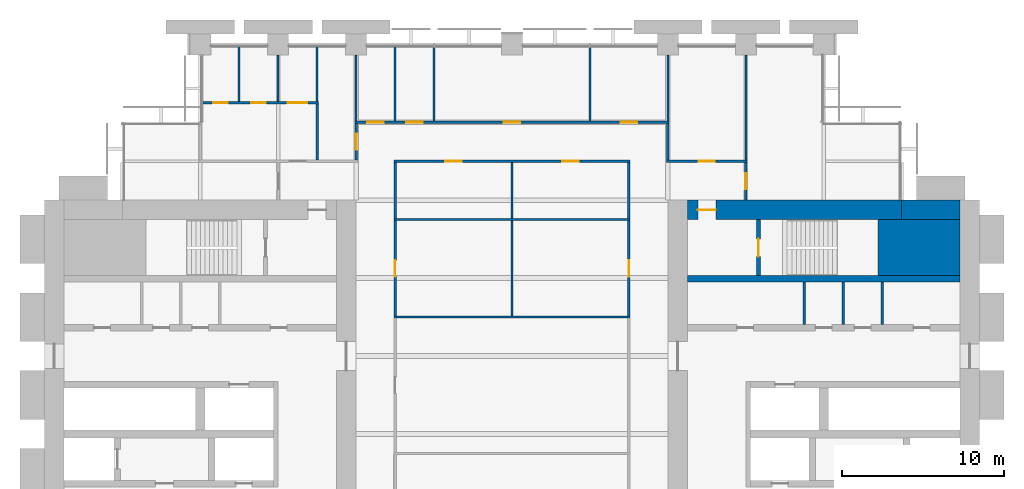
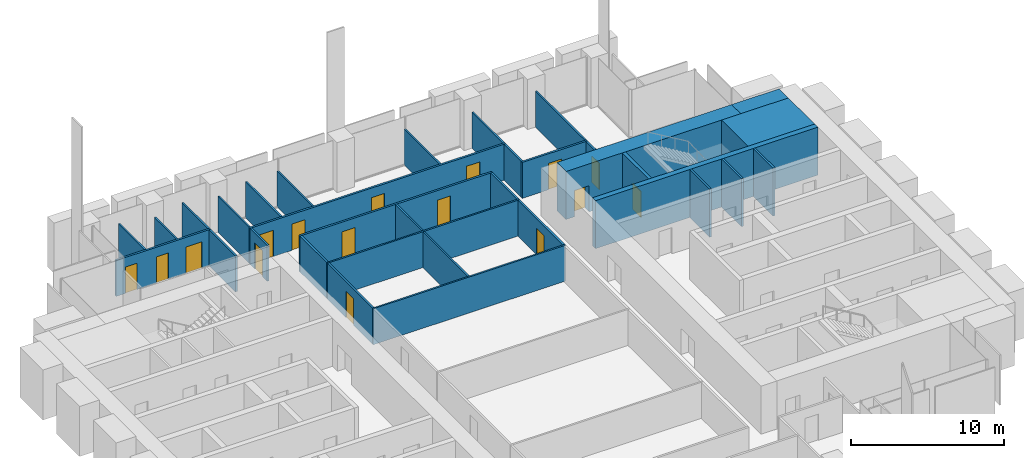
# One storey, part 12 of 14: 33 walls, 16 doors, 16 openings.
"""IFC4 building model written with IfcOpenShell, lengths in metres."""

from ifc_helpers import new_model, si_unit, direction, frame, frame_2d, origin, place, context, subcontext, project, spatial, rectangle, extrude, material, layer, layer_set, type_object, element, fill, save


model = new_model("IFC4")

# Units and contexts
model_context = context("Model", 3, precision=1e-05, world=origin(), true_north=direction((0.0, 1.0)))
body_context = subcontext(model_context, "Body", "Model", "MODEL_VIEW")
ifc_project = project(units=[si_unit("LENGTHUNIT", "METRE"), si_unit("AREAUNIT", "SQUARE_METRE"), si_unit("VOLUMEUNIT", "CUBIC_METRE"), si_unit("PLANEANGLEUNIT", "RADIAN"), si_unit("MASSUNIT", "GRAM", prefix="KILO")], contexts=[model_context])

# Site, building, storey
site_placement = place(None, origin())
site = spatial("IfcSite", under=ifc_project, at=site_placement, CompositionType="ELEMENT")
building_placement = place(site_placement, origin())
building = spatial("IfcBuilding", under=site, at=building_placement, Name="Baori Bourse Tower", CompositionType="ELEMENT")
storey_placement = place(building_placement, frame((0.0, 0.0, 63.0)))
storey = spatial("IfcBuildingStorey", under=building, at=storey_placement, Name="L13", CompositionType="ELEMENT", Elevation=63.0)

# Walls
ifc_material_1 = material(Name="Concrete f'c 70 MPa", Category="concrete")
wall_type_1 = type_object("IfcWallType", Name="Core corner block f'c 70", PredefinedType="SHEAR", material=ifc_material_1)
wall_1_placement = place(storey_placement, frame((51.35009765625, 35.47509765625, 0.0), z_axis=(0.0, 0.0, 1.0), x_axis=(1.0, 0.0, 0.0)))
element("IfcWall", 1, at=wall_1_placement, inside=storey, type_object=wall_type_1, Name="Core wall E22", PredefinedType="SHEAR", context=body_context, shape_type="SweptSolid", body=[
    extrude(rectangle(XDim=5.0498046875, YDim=3.449951171875, at=frame_2d((2.52490234375, 0.0))), origin(), (0.0, 0.0, 1.0), 3.840087890625),
])
ifc_material_2 = material(Name="Blockwork partition", Category="masonry")
ifc_layer_1 = layer(ifc_material_2, 0.14990234375)
ifc_layer_set_1 = layer_set([ifc_layer_1], Name="Core partition 150")
wall_type_2 = type_object("IfcWallType", Name="Core partition 150", PredefinedType="PARTITIONING", material=ifc_layer_set_1)
for number, where, z_axis, x_axis, name in (
    (2, (51.60009765625, 30.75, 0.0), (0.0, 0.0, 1.0), (0.0, 1.0, 0.0), "Partition wall E18"),
    (3, (49.199951171875, 30.75, 0.0), (0.0, 0.0, 1.0), (0.0, 1.0, 0.0), "Partition wall E19"),
    (4, (46.800048828125, 30.75, 0.0), (0.0, 0.0, 1.0), (0.0, 1.0, 0.0), "Partition wall E20"),
):
    element("IfcWall", number, at=place(storey_placement, frame(where, z_axis=z_axis, x_axis=x_axis)), inside=storey, type_object=wall_type_2, Name=name, PredefinedType="PARTITIONING", context=body_context, shape_type="SweptSolid", body=[
        extrude(rectangle(XDim=2.60009765625, YDim=0.14990234375, at=frame_2d((1.300048828125, 0.0))), origin(), (0.0, 0.0, 1.0), 3.840087890625),
    ])
ifc_material_3 = material(Name="Concrete f'c 70 MPa", Category="concrete")
ifc_layer_2 = layer(ifc_material_3, 1.199951171875)
ifc_layer_set_2 = layer_set([ifc_layer_2], Name="Core wall 1200 f'c 70")
wall_type_3 = type_object("IfcWallType", Name="Core wall 1200 f'c 70", PredefinedType="SHEAR", material=ifc_layer_set_2)
wall_2_placement = place(storey_placement, frame((52.800048828125, 37.800048828125, 0.0), z_axis=(0.0, 0.0, 1.0), x_axis=(1.0, 0.0, 0.0)))
element("IfcWall", 5, at=wall_2_placement, inside=storey, type_object=wall_type_3, Name="Core wall E24", PredefinedType="SHEAR", context=body_context, shape_type="SweptSolid", body=[
    extrude(rectangle(XDim=3.599853515625, YDim=1.199951171875, at=frame_2d((1.7998046875, 0.0))), origin(), (0.0, 0.0, 1.0), 3.840087890625),
])

# Wall, opening, door
wall_3_placement = place(storey_placement, frame((39.60009765625, 37.800048828125, 0.0), z_axis=(0.0, 0.0, 1.0), x_axis=(1.0, 0.0, 0.0)))
wall_3 = element("IfcWall", 6, at=wall_3_placement, inside=storey, type_object=wall_type_3, Name="Core wall E25", PredefinedType="SHEAR", context=body_context, shape_type="SweptSolid", body=[
    extrude(rectangle(XDim=13.199951171875, YDim=1.199951171875, at=frame_2d((6.60009765625, 0.0))), origin(), (0.0, 0.0, 1.0), 3.840087890625),
])
opening_1_placement = place(wall_3_placement, frame((0.64990234375, 0.0, 0.0)))
opening_1 = element("IfcOpeningElement", 7, at=opening_1_placement, cuts=wall_3, Name="Opening L13-D204", PredefinedType="OPENING", context=body_context, shape_type="SweptSolid", body=[
    extrude(rectangle(XDim=1.10009765625, YDim=2.10009765625, at=frame_2d((0.550048828125, 1.050048828125))), frame((0.0, 0.60986328125, 0.0), z_axis=(0.0, -1.0, 0.0), x_axis=(1.0, 0.0, 0.0)), (0.0, 0.0, 1.0), 1.219970703125),
])
ifc_material_4 = material(Name="Painted steel door", Category="steel")
door_type_1 = type_object("IfcDoorType", Name="Stair door 1100", OperationType="SINGLE_SWING_LEFT", PredefinedType="DOOR", material=ifc_material_4)
door_1_placement = place(opening_1_placement, origin())
door_1 = element("IfcDoor", 8, at=door_1_placement, inside=storey, type_object=door_type_1, Name="Stair vestibule door B E L13", OperationType="SINGLE_SWING_LEFT", OverallHeight=2.10009765625, OverallWidth=1.10009765625, PredefinedType="DOOR", context=body_context, shape_type="SweptSolid", body=[
    extrude(rectangle(XDim=1.10009765625, YDim=2.10009765625, at=frame_2d((0.550048828125, 1.050048828125))), frame((0.0, 0.02490234375, 0.0), z_axis=(0.0, -1.0, 0.0), x_axis=(1.0, 0.0, 0.0)), (0.0, 0.0, 1.0), 0.050048828125),
])
fill(opening_1, door_1)

# Wall, openings, doors
ifc_material_5 = material(Name="Gypsum board partition")
ifc_layer_3 = layer(ifc_material_5, 0.14990234375)
ifc_layer_set_3 = layer_set([ifc_layer_3], Name="Corridor partition 150")
wall_type_4 = type_object("IfcWallType", Name="Corridor partition 150", PredefinedType="PARTITIONING", material=ifc_layer_set_3)
wall_4_placement = place(storey_placement, frame((21.52490234375, 40.800048828125, 0.0), z_axis=(0.0, 0.0, 1.0), x_axis=(1.0, 0.0, 0.0)))
wall_4 = element("IfcWall", 9, at=wall_4_placement, inside=storey, type_object=wall_type_4, Name="Partition", PredefinedType="PARTITIONING", context=body_context, shape_type="SweptSolid", body=[
    extrude(rectangle(XDim=14.550048828125, YDim=0.14990234375, at=frame_2d((7.27490234375, 0.0))), origin(), (0.0, 0.0, 1.0), 2.86962890625),
])
opening_2_placement = place(wall_4_placement, frame((3.175048828125, 0.0, 0.0)))
opening_2 = element("IfcOpeningElement", 10, at=opening_2_placement, cuts=wall_4, Name="Opening L13-D08", PredefinedType="OPENING", context=body_context, shape_type="SweptSolid", body=[
    extrude(rectangle(XDim=1.0, YDim=2.10009765625, at=frame_2d((0.5, 1.050048828125))), frame((0.0, 0.0849609375, 0.0), z_axis=(0.0, -1.0, 0.0), x_axis=(1.0, 0.0, 0.0)), (0.0, 0.0, 1.0), 0.169921875),
])
opening_3_placement = place(wall_4_placement, frame((10.375, 0.0, 0.0)))
opening_3 = element("IfcOpeningElement", 11, at=opening_3_placement, cuts=wall_4, Name="Opening L13-D09", PredefinedType="OPENING", context=body_context, shape_type="SweptSolid", body=[
    extrude(rectangle(XDim=1.0, YDim=2.10009765625, at=frame_2d((0.5, 1.050048828125))), frame((0.0, 0.0849609375, 0.0), z_axis=(0.0, -1.0, 0.0), x_axis=(1.0, 0.0, 0.0)), (0.0, 0.0, 1.0), 0.169921875),
])
ifc_material_6 = material(Name="Timber door leaf", Category="wood")
door_type_2 = type_object("IfcDoorType", Name="Door 1000 x 2100", OperationType="SINGLE_SWING_LEFT", PredefinedType="DOOR", material=ifc_material_6)
door_2_placement = place(opening_2_placement, origin())
door_2 = element("IfcDoor", 12, at=door_2_placement, inside=storey, type_object=door_type_2, Name="Door", OperationType="SINGLE_SWING_LEFT", OverallHeight=2.10009765625, OverallWidth=1.0, PredefinedType="DOOR", context=body_context, shape_type="SweptSolid", body=[
    extrude(rectangle(XDim=1.0, YDim=2.10009765625, at=frame_2d((0.5, 1.050048828125))), frame((0.0, 0.02490234375, 0.0), z_axis=(0.0, -1.0, 0.0), x_axis=(1.0, 0.0, 0.0)), (0.0, 0.0, 1.0), 0.050048828125),
])
fill(opening_2, door_2)
door_3_placement = place(opening_3_placement, origin())
door_3 = element("IfcDoor", 13, at=door_3_placement, inside=storey, type_object=door_type_2, Name="Door", OperationType="SINGLE_SWING_RIGHT", OverallHeight=2.10009765625, OverallWidth=1.0, PredefinedType="DOOR", context=body_context, shape_type="SweptSolid", body=[
    extrude(rectangle(XDim=1.0, YDim=2.10009765625, at=frame_2d((0.5, 1.050048828125))), frame((0.0, 0.02490234375, 0.0), z_axis=(0.0, -1.0, 0.0), x_axis=(1.0, 0.0, 0.0)), (0.0, 0.0, 1.0), 0.050048828125),
])
fill(opening_3, door_3)

# Wall, opening, door
wall_5_placement = place(storey_placement, frame((38.324951171875, 40.800048828125, 0.0), z_axis=(0.0, 0.0, 1.0), x_axis=(1.0, 0.0, 0.0)))
wall_5 = element("IfcWall", 14, at=wall_5_placement, inside=storey, type_object=wall_type_4, Name="Partition", PredefinedType="PARTITIONING", context=body_context, shape_type="SweptSolid", body=[
    extrude(rectangle(XDim=4.949951171875, YDim=0.14990234375, at=frame_2d((2.47509765625, 0.0))), origin(), (0.0, 0.0, 1.0), 2.86962890625),
])
opening_4_placement = place(wall_5_placement, frame((1.97509765625, 0.0, 0.0)))
opening_4 = element("IfcOpeningElement", 15, at=opening_4_placement, cuts=wall_5, Name="Opening L13-D10", PredefinedType="OPENING", context=body_context, shape_type="SweptSolid", body=[
    extrude(rectangle(XDim=1.0, YDim=2.10009765625, at=frame_2d((0.5, 1.050048828125))), frame((0.0, 0.0849609375, 0.0), z_axis=(0.0, -1.0, 0.0), x_axis=(1.0, 0.0, 0.0)), (0.0, 0.0, 1.0), 0.169921875),
])
door_4_placement = place(opening_4_placement, origin())
door_4 = element("IfcDoor", 16, at=door_4_placement, inside=storey, type_object=door_type_2, Name="Door", OperationType="SINGLE_SWING_RIGHT", OverallHeight=2.10009765625, OverallWidth=1.0, PredefinedType="DOOR", context=body_context, shape_type="SweptSolid", body=[
    extrude(rectangle(XDim=1.0, YDim=2.10009765625, at=frame_2d((0.5, 1.050048828125))), frame((0.0, 0.02490234375, 0.0), z_axis=(0.0, -1.0, 0.0), x_axis=(1.0, 0.0, 0.0)), (0.0, 0.0, 1.0), 0.050048828125),
])
fill(opening_4, door_4)

# Wall, openings, doors
wall_6_placement = place(storey_placement, frame((19.125, 43.199951171875, 0.0), z_axis=(0.0, 0.0, 1.0), x_axis=(1.0, 0.0, 0.0)))
wall_6 = element("IfcWall", 17, at=wall_6_placement, inside=storey, type_object=wall_type_4, Name="Partition", PredefinedType="PARTITIONING", context=body_context, shape_type="SweptSolid", body=[
    extrude(rectangle(XDim=19.35009765625, YDim=0.14990234375, at=frame_2d((9.675048828125, 0.0))), origin(), (0.0, 0.0, 1.0), 2.86962890625),
])
opening_5_placement = place(wall_6_placement, frame((0.77490234375, 0.0, 0.0)))
opening_5 = element("IfcOpeningElement", 18, at=opening_5_placement, cuts=wall_6, Name="Opening L13-D11", PredefinedType="OPENING", context=body_context, shape_type="SweptSolid", body=[
    extrude(rectangle(XDim=1.0, YDim=2.10009765625, at=frame_2d((0.5, 1.050048828125))), frame((0.0, 0.0849609375, 0.0), z_axis=(0.0, -1.0, 0.0), x_axis=(1.0, 0.0, 0.0)), (0.0, 0.0, 1.0), 0.169921875),
])
opening_6_placement = place(wall_6_placement, frame((3.175048828125, 0.0, 0.0)))
opening_6 = element("IfcOpeningElement", 19, at=opening_6_placement, cuts=wall_6, Name="Opening L13-D12", PredefinedType="OPENING", context=body_context, shape_type="SweptSolid", body=[
    extrude(rectangle(XDim=1.0, YDim=2.10009765625, at=frame_2d((0.5, 1.050048828125))), frame((0.0, 0.0849609375, 0.0), z_axis=(0.0, -1.0, 0.0), x_axis=(1.0, 0.0, 0.0)), (0.0, 0.0, 1.0), 0.169921875),
])
opening_7_placement = place(wall_6_placement, frame((9.175048828125, 0.0, 0.0)))
opening_7 = element("IfcOpeningElement", 20, at=opening_7_placement, cuts=wall_6, Name="Opening L13-D13", PredefinedType="OPENING", context=body_context, shape_type="SweptSolid", body=[
    extrude(rectangle(XDim=1.0, YDim=2.10009765625, at=frame_2d((0.5, 1.050048828125))), frame((0.0, 0.0849609375, 0.0), z_axis=(0.0, -1.0, 0.0), x_axis=(1.0, 0.0, 0.0)), (0.0, 0.0, 1.0), 0.169921875),
])
opening_8_placement = place(wall_6_placement, frame((16.375, 0.0, 0.0)))
opening_8 = element("IfcOpeningElement", 21, at=opening_8_placement, cuts=wall_6, Name="Opening L13-D14", PredefinedType="OPENING", context=body_context, shape_type="SweptSolid", body=[
    extrude(rectangle(XDim=1.0, YDim=2.10009765625, at=frame_2d((0.5, 1.050048828125))), frame((0.0, 0.0849609375, 0.0), z_axis=(0.0, -1.0, 0.0), x_axis=(1.0, 0.0, 0.0)), (0.0, 0.0, 1.0), 0.169921875),
])
door_5_placement = place(opening_5_placement, origin())
door_5 = element("IfcDoor", 22, at=door_5_placement, inside=storey, type_object=door_type_2, Name="Door", OperationType="SINGLE_SWING_RIGHT", OverallHeight=2.10009765625, OverallWidth=1.0, PredefinedType="DOOR", context=body_context, shape_type="SweptSolid", body=[
    extrude(rectangle(XDim=1.0, YDim=2.10009765625, at=frame_2d((0.5, 1.050048828125))), frame((0.0, 0.02490234375, 0.0), z_axis=(0.0, -1.0, 0.0), x_axis=(1.0, 0.0, 0.0)), (0.0, 0.0, 1.0), 0.050048828125),
])
fill(opening_5, door_5)
door_6_placement = place(opening_6_placement, origin())
door_6 = element("IfcDoor", 23, at=door_6_placement, inside=storey, type_object=door_type_2, Name="Door", OperationType="SINGLE_SWING_RIGHT", OverallHeight=2.10009765625, OverallWidth=1.0, PredefinedType="DOOR", context=body_context, shape_type="SweptSolid", body=[
    extrude(rectangle(XDim=1.0, YDim=2.10009765625, at=frame_2d((0.5, 1.050048828125))), frame((0.0, 0.02490234375, 0.0), z_axis=(0.0, -1.0, 0.0), x_axis=(1.0, 0.0, 0.0)), (0.0, 0.0, 1.0), 0.050048828125),
])
fill(opening_6, door_6)
door_7_placement = place(opening_7_placement, origin())
door_7 = element("IfcDoor", 24, at=door_7_placement, inside=storey, type_object=door_type_2, Name="Door", OperationType="SINGLE_SWING_RIGHT", OverallHeight=2.10009765625, OverallWidth=1.0, PredefinedType="DOOR", context=body_context, shape_type="SweptSolid", body=[
    extrude(rectangle(XDim=1.0, YDim=2.10009765625, at=frame_2d((0.5, 1.050048828125))), frame((0.0, 0.02490234375, 0.0), z_axis=(0.0, -1.0, 0.0), x_axis=(1.0, 0.0, 0.0)), (0.0, 0.0, 1.0), 0.050048828125),
])
fill(opening_7, door_7)
door_8_placement = place(opening_8_placement, origin())
door_8 = element("IfcDoor", 25, at=door_8_placement, inside=storey, type_object=door_type_2, Name="Door", OperationType="SINGLE_SWING_LEFT", OverallHeight=2.10009765625, OverallWidth=1.0, PredefinedType="DOOR", context=body_context, shape_type="SweptSolid", body=[
    extrude(rectangle(XDim=1.0, YDim=2.10009765625, at=frame_2d((0.5, 1.050048828125))), frame((0.0, 0.02490234375, 0.0), z_axis=(0.0, -1.0, 0.0), x_axis=(1.0, 0.0, 0.0)), (0.0, 0.0, 1.0), 0.050048828125),
])
fill(opening_8, door_8)

wall_7_placement = place(storey_placement, frame((9.699951171875, 44.39990234375, 0.0), z_axis=(0.0, 0.0, 1.0), x_axis=(1.0, 0.0, 0.0)))
wall_7 = element("IfcWall", 26, at=wall_7_placement, inside=storey, type_object=wall_type_4, Name="Partition", PredefinedType="PARTITIONING", context=body_context, shape_type="SweptSolid", body=[
    extrude(rectangle(XDim=7.175048828125, YDim=0.14990234375, at=frame_2d((3.58740234375, 0.0))), origin(), (0.0, 0.0, 1.0), 2.86962890625),
])
opening_9_placement = place(wall_7_placement, frame((0.699951171875, 0.0, 0.0)))
opening_9 = element("IfcOpeningElement", 27, at=opening_9_placement, cuts=wall_7, Name="Opening L13-D15", PredefinedType="OPENING", context=body_context, shape_type="SweptSolid", body=[
    extrude(rectangle(XDim=0.89990234375, YDim=2.10009765625, at=frame_2d((0.449951171875, 1.050048828125))), frame((0.0, 0.0849609375, 0.0), z_axis=(0.0, -1.0, 0.0), x_axis=(1.0, 0.0, 0.0)), (0.0, 0.0, 1.0), 0.169921875),
])
opening_10_placement = place(wall_7_placement, frame((3.050048828125, 0.0, 0.0)))
opening_10 = element("IfcOpeningElement", 28, at=opening_10_placement, cuts=wall_7, Name="Opening L13-D16", PredefinedType="OPENING", context=body_context, shape_type="SweptSolid", body=[
    extrude(rectangle(XDim=0.89990234375, YDim=2.10009765625, at=frame_2d((0.449951171875, 1.050048828125))), frame((0.0, 0.0849609375, 0.0), z_axis=(0.0, -1.0, 0.0), x_axis=(1.0, 0.0, 0.0)), (0.0, 0.0, 1.0), 0.169921875),
])
opening_11_placement = place(wall_7_placement, frame((5.300048828125, 0.0, 0.0)))
opening_11 = element("IfcOpeningElement", 29, at=opening_11_placement, cuts=wall_7, Name="Opening L13-D17", PredefinedType="OPENING", context=body_context, shape_type="SweptSolid", body=[
    extrude(rectangle(XDim=1.199951171875, YDim=2.10009765625, at=frame_2d((0.60009765625, 1.050048828125))), frame((0.0, 0.0849609375, 0.0), z_axis=(0.0, -1.0, 0.0), x_axis=(1.0, 0.0, 0.0)), (0.0, 0.0, 1.0), 0.169921875),
])
ifc_material_7 = material(Name="Timber door leaf", Category="wood")
door_type_3 = type_object("IfcDoorType", Name="Door 1200 x 2100", OperationType="SINGLE_SWING_LEFT", PredefinedType="DOOR", material=ifc_material_7)
door_9_placement = place(opening_11_placement, origin())
door_9 = element("IfcDoor", 30, at=door_9_placement, inside=storey, type_object=door_type_3, Name="Door", OperationType="SINGLE_SWING_LEFT", OverallHeight=2.10009765625, OverallWidth=1.199951171875, PredefinedType="DOOR", context=body_context, shape_type="SweptSolid", body=[
    extrude(rectangle(XDim=1.199951171875, YDim=2.10009765625, at=frame_2d((0.60009765625, 1.050048828125))), frame((0.0, 0.02490234375, 0.0), z_axis=(0.0, -1.0, 0.0), x_axis=(1.0, 0.0, 0.0)), (0.0, 0.0, 1.0), 0.050048828125),
])
fill(opening_11, door_9)
ifc_material_8 = material(Name="Timber door leaf", Category="wood")
door_type_4 = type_object("IfcDoorType", Name="Door 900 x 2100", OperationType="SINGLE_SWING_LEFT", PredefinedType="DOOR", material=ifc_material_8)
door_10_placement = place(opening_9_placement, origin())
door_10 = element("IfcDoor", 31, at=door_10_placement, inside=storey, type_object=door_type_4, Name="Door", OperationType="SINGLE_SWING_RIGHT", OverallHeight=2.10009765625, OverallWidth=0.89990234375, PredefinedType="DOOR", context=body_context, shape_type="SweptSolid", body=[
    extrude(rectangle(XDim=0.89990234375, YDim=2.10009765625, at=frame_2d((0.449951171875, 1.050048828125))), frame((0.0, 0.02490234375, 0.0), z_axis=(0.0, -1.0, 0.0), x_axis=(1.0, 0.0, 0.0)), (0.0, 0.0, 1.0), 0.050048828125),
])
fill(opening_9, door_10)
door_11_placement = place(opening_10_placement, origin())
door_11 = element("IfcDoor", 32, at=door_11_placement, inside=storey, type_object=door_type_4, Name="Door", OperationType="SINGLE_SWING_RIGHT", OverallHeight=2.10009765625, OverallWidth=0.89990234375, PredefinedType="DOOR", context=body_context, shape_type="SweptSolid", body=[
    extrude(rectangle(XDim=0.89990234375, YDim=2.10009765625, at=frame_2d((0.449951171875, 1.050048828125))), frame((0.0, 0.02490234375, 0.0), z_axis=(0.0, -1.0, 0.0), x_axis=(1.0, 0.0, 0.0)), (0.0, 0.0, 1.0), 0.050048828125),
])
fill(opening_10, door_11)

# Wall
wall_8_placement = place(storey_placement, frame((16.800048828125, 40.875, 0.0), z_axis=(0.0, 0.0, 1.0), x_axis=(0.0, 1.0, 0.0)))
element("IfcWall", 33, at=wall_8_placement, inside=storey, type_object=wall_type_4, Name="Partition", PredefinedType="PARTITIONING", context=body_context, shape_type="SweptSolid", body=[
    extrude(rectangle(XDim=3.449951171875, YDim=0.14990234375, at=frame_2d((1.72509765625, 0.0))), origin(), (0.0, 0.0, 1.0), 2.86962890625),
])

# Wall, opening, door
wall_9_placement = place(storey_placement, frame((19.199951171875, 40.875, 0.0), z_axis=(0.0, 0.0, 1.0), x_axis=(0.0, 1.0, 0.0)))
wall_9 = element("IfcWall", 34, at=wall_9_placement, inside=storey, type_object=wall_type_4, Name="Partition", PredefinedType="PARTITIONING", context=body_context, shape_type="SweptSolid", body=[
    extrude(rectangle(XDim=2.25, YDim=0.14990234375, at=frame_2d((1.125, 0.0))), origin(), (0.0, 0.0, 1.0), 2.86962890625),
])
opening_12_placement = place(wall_9_placement, frame((0.625, 0.0, 0.0)))
opening_12 = element("IfcOpeningElement", 35, at=opening_12_placement, cuts=wall_9, Name="Opening L13-D20", PredefinedType="OPENING", context=body_context, shape_type="SweptSolid", body=[
    extrude(rectangle(XDim=1.0, YDim=2.10009765625, at=frame_2d((0.5, 1.050048828125))), frame((0.0, 0.0849609375, 0.0), z_axis=(0.0, -1.0, 0.0), x_axis=(1.0, 0.0, 0.0)), (0.0, 0.0, 1.0), 0.169921875),
])
door_12_placement = place(opening_12_placement, origin())
door_12 = element("IfcDoor", 36, at=door_12_placement, inside=storey, type_object=door_type_2, Name="Door", OperationType="SINGLE_SWING_RIGHT", OverallHeight=2.10009765625, OverallWidth=1.0, PredefinedType="DOOR", context=body_context, shape_type="SweptSolid", body=[
    extrude(rectangle(XDim=1.0, YDim=2.10009765625, at=frame_2d((0.5, 1.050048828125))), frame((0.0, 0.02490234375, 0.0), z_axis=(0.0, -1.0, 0.0), x_axis=(1.0, 0.0, 0.0)), (0.0, 0.0, 1.0), 0.050048828125),
])
fill(opening_12, door_12)

wall_10_placement = place(storey_placement, frame((21.60009765625, 31.262451171875, 0.0), z_axis=(0.0, 0.0, 1.0), x_axis=(0.0, 1.0, 0.0)))
wall_10 = element("IfcWall", 37, at=wall_10_placement, inside=storey, type_object=wall_type_4, Name="Partition", PredefinedType="PARTITIONING", context=body_context, shape_type="SweptSolid", body=[
    extrude(rectangle(XDim=5.875, YDim=0.14990234375, at=frame_2d((2.9375, 0.0))), origin(), (0.0, 0.0, 1.0), 2.86962890625),
])
opening_13_placement = place(wall_10_placement, frame((2.4375, 0.0, 0.0)))
opening_13 = element("IfcOpeningElement", 38, at=opening_13_placement, cuts=wall_10, Name="Opening L13-D23", PredefinedType="OPENING", context=body_context, shape_type="SweptSolid", body=[
    extrude(rectangle(XDim=1.0, YDim=2.10009765625, at=frame_2d((0.5, 1.050048828125))), frame((0.0, 0.0849609375, 0.0), z_axis=(0.0, -1.0, 0.0), x_axis=(1.0, 0.0, 0.0)), (0.0, 0.0, 1.0), 0.169921875),
])
door_13_placement = place(opening_13_placement, origin())
door_13 = element("IfcDoor", 39, at=door_13_placement, inside=storey, type_object=door_type_2, Name="Door", OperationType="SINGLE_SWING_RIGHT", OverallHeight=2.10009765625, OverallWidth=1.0, PredefinedType="DOOR", context=body_context, shape_type="SweptSolid", body=[
    extrude(rectangle(XDim=1.0, YDim=2.10009765625, at=frame_2d((0.5, 1.050048828125))), frame((0.0, 0.02490234375, 0.0), z_axis=(0.0, -1.0, 0.0), x_axis=(1.0, 0.0, 0.0)), (0.0, 0.0, 1.0), 0.050048828125),
])
fill(opening_13, door_13)

# Wall
wall_11_placement = place(storey_placement, frame((21.60009765625, 37.262451171875, 0.0), z_axis=(0.0, 0.0, 1.0), x_axis=(0.0, 1.0, 0.0)))
element("IfcWall", 40, at=wall_11_placement, inside=storey, type_object=wall_type_4, Name="Partition", PredefinedType="PARTITIONING", context=body_context, shape_type="SweptSolid", body=[
    extrude(rectangle(XDim=3.462646484375, YDim=0.14990234375, at=frame_2d((1.7314453125, 0.0))), origin(), (0.0, 0.0, 1.0), 2.86962890625),
])

# Wall, opening, door
wall_12_placement = place(storey_placement, frame((36.0, 31.262451171875, 0.0), z_axis=(0.0, 0.0, 1.0), x_axis=(0.0, 1.0, 0.0)))
wall_12 = element("IfcWall", 41, at=wall_12_placement, inside=storey, type_object=wall_type_4, Name="Partition", PredefinedType="PARTITIONING", context=body_context, shape_type="SweptSolid", body=[
    extrude(rectangle(XDim=5.875, YDim=0.14990234375, at=frame_2d((2.9375, 0.0))), origin(), (0.0, 0.0, 1.0), 2.86962890625),
])
opening_14_placement = place(wall_12_placement, frame((2.4375, 0.0, 0.0)))
opening_14 = element("IfcOpeningElement", 42, at=opening_14_placement, cuts=wall_12, Name="Opening L13-D24", PredefinedType="OPENING", context=body_context, shape_type="SweptSolid", body=[
    extrude(rectangle(XDim=1.0, YDim=2.10009765625, at=frame_2d((0.5, 1.050048828125))), frame((0.0, 0.0849609375, 0.0), z_axis=(0.0, -1.0, 0.0), x_axis=(1.0, 0.0, 0.0)), (0.0, 0.0, 1.0), 0.169921875),
])
door_14_placement = place(opening_14_placement, origin())
door_14 = element("IfcDoor", 43, at=door_14_placement, inside=storey, type_object=door_type_2, Name="Door", OperationType="SINGLE_SWING_LEFT", OverallHeight=2.10009765625, OverallWidth=1.0, PredefinedType="DOOR", context=body_context, shape_type="SweptSolid", body=[
    extrude(rectangle(XDim=1.0, YDim=2.10009765625, at=frame_2d((0.5, 1.050048828125))), frame((0.0, 0.02490234375, 0.0), z_axis=(0.0, -1.0, 0.0), x_axis=(1.0, 0.0, 0.0)), (0.0, 0.0, 1.0), 0.050048828125),
])
fill(opening_14, door_14)

# Walls
wall_13_placement = place(storey_placement, frame((36.0, 37.262451171875, 0.0), z_axis=(0.0, 0.0, 1.0), x_axis=(0.0, 1.0, 0.0)))
element("IfcWall", 44, at=wall_13_placement, inside=storey, type_object=wall_type_4, Name="Partition", PredefinedType="PARTITIONING", context=body_context, shape_type="SweptSolid", body=[
    extrude(rectangle(XDim=3.462646484375, YDim=0.14990234375, at=frame_2d((1.7314453125, 0.0))), origin(), (0.0, 0.0, 1.0), 2.86962890625),
])
wall_14_placement = place(storey_placement, frame((38.39990234375, 40.875, 0.0), z_axis=(0.0, 0.0, 1.0), x_axis=(0.0, 1.0, 0.0)))
element("IfcWall", 45, at=wall_14_placement, inside=storey, type_object=wall_type_4, Name="Partition", PredefinedType="PARTITIONING", context=body_context, shape_type="SweptSolid", body=[
    extrude(rectangle(XDim=2.25, YDim=0.14990234375, at=frame_2d((1.125, 0.0))), origin(), (0.0, 0.0, 1.0), 2.86962890625),
])

# Wall, opening, door
wall_15_placement = place(storey_placement, frame((43.199951171875, 38.39990234375, 0.0), z_axis=(0.0, 0.0, 1.0), x_axis=(0.0, 1.0, 0.0)))
wall_15 = element("IfcWall", 46, at=wall_15_placement, inside=storey, type_object=wall_type_4, Name="Partition", PredefinedType="PARTITIONING", context=body_context, shape_type="SweptSolid", body=[
    extrude(rectangle(XDim=2.3251953125, YDim=0.14990234375, at=frame_2d((1.16259765625, 0.0))), origin(), (0.0, 0.0, 1.0), 2.86962890625),
])
opening_15_placement = place(wall_15_placement, frame((0.66259765625, 0.0, 0.0)))
opening_15 = element("IfcOpeningElement", 47, at=opening_15_placement, cuts=wall_15, Name="Opening L13-D26", PredefinedType="OPENING", context=body_context, shape_type="SweptSolid", body=[
    extrude(rectangle(XDim=1.0, YDim=2.10009765625, at=frame_2d((0.5, 1.050048828125))), frame((0.0, 0.0849609375, 0.0), z_axis=(0.0, -1.0, 0.0), x_axis=(1.0, 0.0, 0.0)), (0.0, 0.0, 1.0), 0.169921875),
])
door_15_placement = place(opening_15_placement, origin())
door_15 = element("IfcDoor", 48, at=door_15_placement, inside=storey, type_object=door_type_2, Name="Door", OperationType="SINGLE_SWING_LEFT", OverallHeight=2.10009765625, OverallWidth=1.0, PredefinedType="DOOR", context=body_context, shape_type="SweptSolid", body=[
    extrude(rectangle(XDim=1.0, YDim=2.10009765625, at=frame_2d((0.5, 1.050048828125))), frame((0.0, 0.02490234375, 0.0), z_axis=(0.0, -1.0, 0.0), x_axis=(1.0, 0.0, 0.0)), (0.0, 0.0, 1.0), 0.050048828125),
])
fill(opening_15, door_15)

# Walls
ifc_material_9 = material(Name="Gypsum board partition")
ifc_layer_4 = layer(ifc_material_9, 0.125)
ifc_layer_set_4 = layer_set([ifc_layer_4], Name="Partition 125")
wall_type_5 = type_object("IfcWallType", Name="Partition 125", PredefinedType="PARTITIONING", material=ifc_layer_set_4)
for number, where, z_axis, x_axis, name in (
    (49, (21.52490234375, 31.199951171875, 0.0), (0.0, 0.0, 1.0), (1.0, 0.0, 0.0), "Partition"),
    (50, (21.52490234375, 37.199951171875, 0.0), (0.0, 0.0, 1.0), (1.0, 0.0, 0.0), "Partition"),
):
    element("IfcWall", number, at=place(storey_placement, frame(where, z_axis=z_axis, x_axis=x_axis)), inside=storey, type_object=wall_type_5, Name=name, PredefinedType="PARTITIONING", context=body_context, shape_type="SweptSolid", body=[
        extrude(rectangle(XDim=14.550048828125, YDim=0.125, at=frame_2d((7.27490234375, 0.0))), origin(), (0.0, 0.0, 1.0), 2.86962890625),
    ])
wall_16_placement = place(storey_placement, frame((12.0, 44.47509765625, 0.0), z_axis=(0.0, 0.0, 1.0), x_axis=(0.0, 1.0, 0.0)))
element("IfcWall", 51, at=wall_16_placement, inside=storey, type_object=wall_type_5, Name="Partition", PredefinedType="PARTITIONING", context=body_context, shape_type="SweptSolid", body=[
    extrude(rectangle(XDim=3.4248046875, YDim=0.125, at=frame_2d((1.71240234375, 0.0))), origin(), (0.0, 0.0, 1.0), 2.86962890625),
])
wall_17_placement = place(storey_placement, frame((14.39990234375, 44.47509765625, 0.0), z_axis=(0.0, 0.0, 1.0), x_axis=(0.0, 1.0, 0.0)))
element("IfcWall", 52, at=wall_17_placement, inside=storey, type_object=wall_type_5, Name="Partition", PredefinedType="PARTITIONING", context=body_context, shape_type="SweptSolid", body=[
    extrude(rectangle(XDim=2.875, YDim=0.125, at=frame_2d((1.4375, 0.0))), origin(), (0.0, 0.0, 1.0), 2.86962890625),
])
wall_18_placement = place(storey_placement, frame((16.800048828125, 44.47509765625, 0.0), z_axis=(0.0, 0.0, 1.0), x_axis=(0.0, 1.0, 0.0)))
element("IfcWall", 53, at=wall_18_placement, inside=storey, type_object=wall_type_5, Name="Partition", PredefinedType="PARTITIONING", context=body_context, shape_type="SweptSolid", body=[
    extrude(rectangle(XDim=3.4248046875, YDim=0.125, at=frame_2d((1.71240234375, 0.0))), origin(), (0.0, 0.0, 1.0), 2.86962890625),
])
wall_19_placement = place(storey_placement, frame((19.199951171875, 43.27490234375, 0.0), z_axis=(0.0, 0.0, 1.0), x_axis=(0.0, 1.0, 0.0)))
element("IfcWall", 54, at=wall_19_placement, inside=storey, type_object=wall_type_5, Name="Partition", PredefinedType="PARTITIONING", context=body_context, shape_type="SweptSolid", body=[
    extrude(rectangle(XDim=4.0751953125, YDim=0.125, at=frame_2d((2.03759765625, 0.0))), origin(), (0.0, 0.0, 1.0), 2.86962890625),
])
for number, where, z_axis, x_axis, name in (
    (55, (21.60009765625, 43.27490234375, 0.0), (0.0, 0.0, 1.0), (0.0, 1.0, 0.0), "Partition"),
    (56, (24.0, 43.27490234375, 0.0), (0.0, 0.0, 1.0), (0.0, 1.0, 0.0), "Partition"),
):
    element("IfcWall", number, at=place(storey_placement, frame(where, z_axis=z_axis, x_axis=x_axis)), inside=storey, type_object=wall_type_5, Name=name, PredefinedType="PARTITIONING", context=body_context, shape_type="SweptSolid", body=[
        extrude(rectangle(XDim=4.625, YDim=0.125, at=frame_2d((2.3125, 0.0))), origin(), (0.0, 0.0, 1.0), 2.86962890625),
    ])
wall_20_placement = place(storey_placement, frame((28.800048828125, 31.262451171875, 0.0), z_axis=(0.0, 0.0, 1.0), x_axis=(0.0, 1.0, 0.0)))
element("IfcWall", 57, at=wall_20_placement, inside=storey, type_object=wall_type_5, Name="Partition", PredefinedType="PARTITIONING", context=body_context, shape_type="SweptSolid", body=[
    extrude(rectangle(XDim=5.875, YDim=0.125, at=frame_2d((2.9375, 0.0))), origin(), (0.0, 0.0, 1.0), 2.86962890625),
])
wall_21_placement = place(storey_placement, frame((28.800048828125, 37.262451171875, 0.0), z_axis=(0.0, 0.0, 1.0), x_axis=(0.0, 1.0, 0.0)))
element("IfcWall", 58, at=wall_21_placement, inside=storey, type_object=wall_type_5, Name="Partition", PredefinedType="PARTITIONING", context=body_context, shape_type="SweptSolid", body=[
    extrude(rectangle(XDim=3.462646484375, YDim=0.125, at=frame_2d((1.7314453125, 0.0))), origin(), (0.0, 0.0, 1.0), 2.86962890625),
])
wall_22_placement = place(storey_placement, frame((33.60009765625, 43.27490234375, 0.0), z_axis=(0.0, 0.0, 1.0), x_axis=(0.0, 1.0, 0.0)))
element("IfcWall", 59, at=wall_22_placement, inside=storey, type_object=wall_type_5, Name="Partition", PredefinedType="PARTITIONING", context=body_context, shape_type="SweptSolid", body=[
    extrude(rectangle(XDim=4.625, YDim=0.125, at=frame_2d((2.3125, 0.0))), origin(), (0.0, 0.0, 1.0), 2.86962890625),
])
wall_23_placement = place(storey_placement, frame((38.39990234375, 43.27490234375, 0.0), z_axis=(0.0, 0.0, 1.0), x_axis=(0.0, 1.0, 0.0)))
element("IfcWall", 60, at=wall_23_placement, inside=storey, type_object=wall_type_5, Name="Partition", PredefinedType="PARTITIONING", context=body_context, shape_type="SweptSolid", body=[
    extrude(rectangle(XDim=4.0751953125, YDim=0.125, at=frame_2d((2.03759765625, 0.0))), origin(), (0.0, 0.0, 1.0), 2.86962890625),
])
wall_24_placement = place(storey_placement, frame((43.199951171875, 40.875, 0.0), z_axis=(0.0, 0.0, 1.0), x_axis=(0.0, 1.0, 0.0)))
element("IfcWall", 61, at=wall_24_placement, inside=storey, type_object=wall_type_5, Name="Partition", PredefinedType="PARTITIONING", context=body_context, shape_type="SweptSolid", body=[
    extrude(rectangle(XDim=6.47509765625, YDim=0.125, at=frame_2d((3.237548828125, 0.0))), origin(), (0.0, 0.0, 1.0), 2.86962890625),
])

# Wall, opening, door
ifc_material_10 = material(Name="Concrete f'c 70 MPa", Category="concrete")
ifc_layer_5 = layer(ifc_material_10, 0.25)
ifc_layer_set_5 = layer_set([ifc_layer_5], Name="Shaft wall 250 f'c 70")
wall_type_6 = type_object("IfcWallType", Name="Shaft wall 250 f'c 70", PredefinedType="SHEAR", material=ifc_layer_set_5)
wall_25_placement = place(storey_placement, frame((43.97509765625, 33.75, 0.0), z_axis=(0.0, 0.0, 1.0), x_axis=(0.0, 1.0, 0.0)))
wall_25 = element("IfcWall", 62, at=wall_25_placement, inside=storey, type_object=wall_type_6, Name="Core wall E23", PredefinedType="SHEAR", context=body_context, shape_type="SweptSolid", body=[
    extrude(rectangle(XDim=3.449951171875, YDim=0.25, at=frame_2d((1.72509765625, 0.0))), origin(), (0.0, 0.0, 1.0), 3.840087890625),
])
opening_16_placement = place(wall_25_placement, frame((1.175048828125, 0.0, 0.0)))
opening_16 = element("IfcOpeningElement", 63, at=opening_16_placement, cuts=wall_25, Name="Opening L13-D203", PredefinedType="OPENING", context=body_context, shape_type="SweptSolid", body=[
    extrude(rectangle(XDim=1.10009765625, YDim=2.10009765625, at=frame_2d((0.550048828125, 1.050048828125))), frame((0.0, 0.135009765625, 0.0), z_axis=(0.0, -1.0, 0.0), x_axis=(1.0, 0.0, 0.0)), (0.0, 0.0, 1.0), 0.27001953125),
])
door_16_placement = place(opening_16_placement, origin())
door_16 = element("IfcDoor", 64, at=door_16_placement, inside=storey, type_object=door_type_1, Name="Stair door B E L13", OperationType="SINGLE_SWING_LEFT", OverallHeight=2.10009765625, OverallWidth=1.10009765625, PredefinedType="DOOR", context=body_context, shape_type="SweptSolid", body=[
    extrude(rectangle(XDim=1.10009765625, YDim=2.10009765625, at=frame_2d((0.550048828125, 1.050048828125))), frame((0.0, 0.02490234375, 0.0), z_axis=(0.0, -1.0, 0.0), x_axis=(1.0, 0.0, 0.0)), (0.0, 0.0, 1.0), 0.050048828125),
])
fill(opening_16, door_16)

# Wall
ifc_material_11 = material(Name="Concrete f'c 70 MPa", Category="concrete")
ifc_layer_6 = layer(ifc_material_11, 0.39990234375)
ifc_layer_set_6 = layer_set([ifc_layer_6], Name="Shaft wall 400 f'c 70")
wall_type_7 = type_object("IfcWallType", Name="Shaft wall 400 f'c 70", PredefinedType="SHEAR", material=ifc_layer_set_6)
wall_26_placement = place(storey_placement, frame((39.60009765625, 33.550048828125, 0.0), z_axis=(0.0, 0.0, 1.0), x_axis=(1.0, 0.0, 0.0)))
element("IfcWall", 65, at=wall_26_placement, inside=storey, type_object=wall_type_7, Name="Core wall E21", PredefinedType="SHEAR", context=body_context, shape_type="SweptSolid", body=[
    extrude(rectangle(XDim=16.7998046875, YDim=0.39990234375, at=frame_2d((8.39990234375, 0.0))), origin(), (0.0, 0.0, 1.0), 3.840087890625),
])

save(model, "model.ifc")
